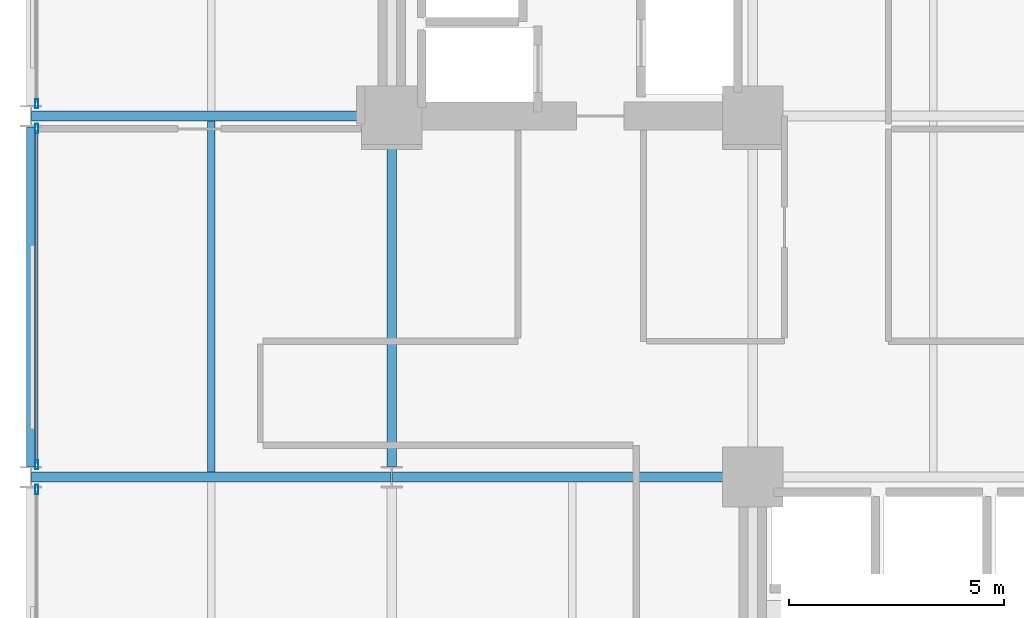
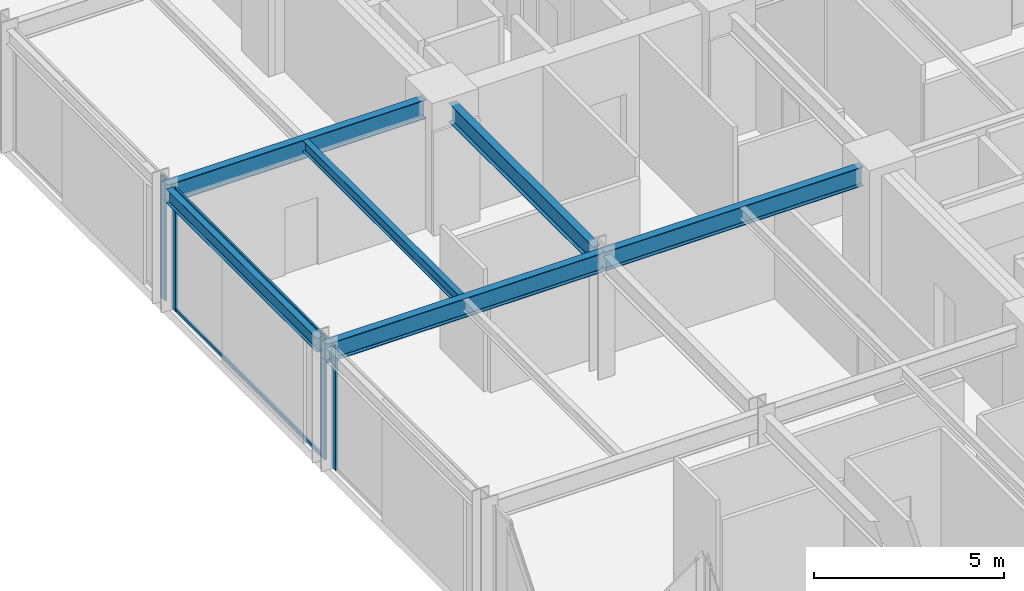
# One storey, part 6 of 24: 6 beams, 6 members, 3 elements without a shape of their own.
"""IFC4 building model written with IfcOpenShell, lengths in metres."""

from ifc_helpers import new_model, si_unit, direction, frame, origin, origin_2d, place, context, subcontext, project, spatial, hollow_rectangle, i_section, extrude, material, layer, layer_set, material_profile, profile_set, type_object, element, aggregate, save


model = new_model("IFC4")

# Units and contexts
model_context = context("Model", 3, precision=1e-05, world=origin(), true_north=direction((0.0, 1.0)))
body_context = subcontext(model_context, "Body", "Model", "MODEL_VIEW")
ifc_project = project(units=[si_unit("LENGTHUNIT", "METRE"), si_unit("AREAUNIT", "SQUARE_METRE"), si_unit("VOLUMEUNIT", "CUBIC_METRE"), si_unit("PLANEANGLEUNIT", "RADIAN"), si_unit("MASSUNIT", "GRAM", prefix="KILO")], contexts=[model_context])

# Site, building, storey
site_placement = place(None, origin())
site = spatial("IfcSite", under=ifc_project, at=site_placement, CompositionType="ELEMENT")
building_placement = place(site_placement, origin())
building = spatial("IfcBuilding", under=site, at=building_placement, Name="Nerrivon Quay Data Exchange", CompositionType="ELEMENT")
storey_placement = place(building_placement, frame((0.0, 0.0, 37.39990234375)))
storey = spatial("IfcBuildingStorey", under=building, at=storey_placement, Name="L08", CompositionType="ELEMENT", Elevation=37.39990234375)

# Beams
ifc_material_1 = material(Name="Steel Grade 350", Category="steel")
ifc_material_profile_1 = material_profile(ifc_material_1, i_section(OverallWidth=0.22900390625, OverallDepth=0.612060546875, WebThickness=0.011962890625, FlangeThickness=0.01953125, FilletRadius=0.013916015625, at=origin_2d()), Name="610UB125")
ifc_profile_set_1 = profile_set([ifc_material_profile_1], Name="Steel Grade 350")
beam_type_1 = type_object("IfcBeamType", Name="BM-G1-610UB125", PredefinedType="BEAM", material=ifc_profile_set_1)
beam_1_placement = place(storey_placement, frame((0.013916015625, 16.800048828125, 3.619140625), z_axis=(1.0, 0.0, 0.0), x_axis=(0.0, 1.0, 0.0)))
element("IfcBeam", 1, at=beam_1_placement, inside=storey, type_object=beam_type_1, Name="L08 EW Girder Y=16.8 (0.0..8.4)", PredefinedType="BEAM", context=body_context, shape_type="SweptSolid", body=[
    extrude(i_section(OverallWidth=0.22900390625, OverallDepth=0.612060546875, WebThickness=0.011962890625, FlangeThickness=0.01953125, FilletRadius=0.013916015625, at=origin_2d()), origin(), (0.0, 0.0, 1.0), 8.3720703125),
])
beam_2_placement = place(storey_placement, frame((8.4140625, 16.800048828125, 3.619140625), z_axis=(1.0, 0.0, 0.0), x_axis=(0.0, 1.0, 0.0)))
element("IfcBeam", 2, at=beam_2_placement, inside=storey, type_object=beam_type_1, Name="L08 EW Girder Y=16.8 (8.4..16.8)", PredefinedType="BEAM", context=body_context, shape_type="SweptSolid", body=[
    extrude(i_section(OverallWidth=0.22900390625, OverallDepth=0.612060546875, WebThickness=0.011962890625, FlangeThickness=0.01953125, FilletRadius=0.013916015625, at=origin_2d()), origin(), (0.0, 0.0, 1.0), 7.845947265625),
])
beam_3_placement = place(storey_placement, frame((0.013916015625, 25.199951171875, 3.619140625), z_axis=(1.0, 0.0, 0.0), x_axis=(0.0, 1.0, 0.0)))
element("IfcBeam", 3, at=beam_3_placement, inside=storey, type_object=beam_type_1, Name="L08 EW Girder Y=25.2 (0.0..8.4)", PredefinedType="BEAM", context=body_context, shape_type="SweptSolid", body=[
    extrude(i_section(OverallWidth=0.22900390625, OverallDepth=0.612060546875, WebThickness=0.011962890625, FlangeThickness=0.01953125, FilletRadius=0.013916015625, at=origin_2d()), origin(), (0.0, 0.0, 1.0), 7.84619140625),
])
ifc_material_profile_2 = material_profile(ifc_material_1, i_section(OverallWidth=0.22802734375, OverallDepth=0.60205078125, WebThickness=0.010498046875, FlangeThickness=0.014892578125, FilletRadius=0.013916015625, at=origin_2d()), Name="610UB101")
ifc_profile_set_2 = profile_set([ifc_material_profile_2], Name="Steel Grade 350")
beam_type_2 = type_object("IfcBeamType", Name="BM-G2-610UB101", PredefinedType="BEAM", material=ifc_profile_set_2)
beam_4_placement = place(storey_placement, frame((8.39990234375, 17.050048828125, 3.6240234375), z_axis=(0.0, 1.0, 0.0), x_axis=(-1.0, 0.0, 0.0)))
element("IfcBeam", 4, at=beam_4_placement, inside=storey, type_object=beam_type_2, Name="L08 NS Girder X=8.4 (16.8..25.2)", PredefinedType="BEAM", context=body_context, shape_type="SweptSolid", body=[
    extrude(i_section(OverallWidth=0.22802734375, OverallDepth=0.60205078125, WebThickness=0.010498046875, FlangeThickness=0.014892578125, FilletRadius=0.013916015625, at=origin_2d()), origin(), (0.0, 0.0, 1.0), 7.60986328125),
])
ifc_material_profile_3 = material_profile(ifc_material_1, i_section(OverallWidth=0.172119140625, OverallDepth=0.35888671875, WebThickness=0.008056640625, FlangeThickness=0.012939453125, FilletRadius=0.011474609375, at=origin_2d()), Name="360UB56.7")
ifc_profile_set_3 = profile_set([ifc_material_profile_3], Name="Steel Grade 350")
beam_type_3 = type_object("IfcBeamType", Name="BM-J3-360UB57", PredefinedType="JOIST", material=ifc_profile_set_3)
beam_5_placement = place(storey_placement, frame((4.199951171875, 16.91455078125, 3.74560546875), z_axis=(0.0, 1.0, 0.0), x_axis=(-1.0, 0.0, 0.0)))
element("IfcBeam", 5, at=beam_5_placement, inside=storey, type_object=beam_type_3, Name="L08 Secondary Joist X=4.2 (16.8..25.2)", PredefinedType="JOIST", context=body_context, shape_type="SweptSolid", body=[
    extrude(i_section(OverallWidth=0.172119140625, OverallDepth=0.35888671875, WebThickness=0.008056640625, FlangeThickness=0.012939453125, FilletRadius=0.011474609375, at=origin_2d()), origin(), (0.0, 0.0, 1.0), 8.1708984375),
])
ifc_material_profile_4 = material_profile(ifc_material_1, i_section(OverallWidth=0.18994140625, OverallDepth=0.4541015625, WebThickness=0.008544921875, FlangeThickness=0.0126953125, FilletRadius=0.011474609375, at=origin_2d()), Name="460UB67.1")
ifc_profile_set_4 = profile_set([ifc_material_profile_4], Name="Steel Grade 350")
beam_type_4 = type_object("IfcBeamType", Name="BM-SP1-460UB67", PredefinedType="SPANDREL", material=ifc_profile_set_4)
beam_6_placement = place(storey_placement, frame((0.0, 17.050048828125, 3.697998046875), z_axis=(0.0, 1.0, 0.0), x_axis=(-1.0, 0.0, 0.0)))
element("IfcBeam", 6, at=beam_6_placement, inside=storey, type_object=beam_type_4, Name="L08 NS Girder X=0.0 (16.8..25.2)", PredefinedType="SPANDREL", context=body_context, shape_type="SweptSolid", body=[
    extrude(i_section(OverallWidth=0.18994140625, OverallDepth=0.4541015625, WebThickness=0.008544921875, FlangeThickness=0.0126953125, FilletRadius=0.011474609375, at=origin_2d()), origin(), (0.0, 0.0, 1.0), 7.89990234375),
])

# Curtain wall, member
ifc_material_2 = material(Name="Anodised aluminium 6063-T6", Category="aluminium")
ifc_layer = layer(ifc_material_2, 0.219970703125)
ifc_layer_set = layer_set([ifc_layer], Name="Anodised aluminium 6063-T6")
curtain_wall_type = type_object("IfcCurtainWallType", Name="CW-SYS-01", PredefinedType="NOTDEFINED", material=ifc_layer_set)
curtain_wall_1_placement = place(storey_placement, origin())
curtain_wall_1 = element("IfcCurtainWall", 7, at=curtain_wall_1_placement, inside=storey, type_object=curtain_wall_type, Name="L08 Unitised Curtain Wall 14", PredefinedType="NOTDEFINED")
ifc_material_profile_5 = material_profile(ifc_material_2, hollow_rectangle(XDim=0.074951171875, YDim=0.219970703125, WallThickness=0.00390625, at=origin_2d()), Name="ALU-MULL-220x75")
ifc_profile_set_5 = profile_set([ifc_material_profile_5], Name="Anodised aluminium 6063-T6")
member_type_1 = type_object("IfcMemberType", Name="CWM-220x75", PredefinedType="MULLION", material=ifc_profile_set_5)
member_1_placement = place(storey_placement, frame((0.139892578125, 16.512451171875, 0.0), z_axis=(0.0, 0.0, 1.0), x_axis=(-1.0, 0.0, 0.0)))
member_1 = element("IfcMember", 8, at=member_1_placement, type_object=member_type_1, Name="CW01 mullion 2", PredefinedType="MULLION", context=body_context, shape_type="SweptSolid", body=[
    extrude(hollow_rectangle(XDim=0.074951171875, YDim=0.219970703125, WallThickness=0.00390625, at=origin_2d()), origin(), (0.0, 0.0, 1.0), 3.925048828125),
])
aggregate(curtain_wall_1, [member_1])

# Curtain wall, members
curtain_wall_2_placement = place(storey_placement, origin())
curtain_wall_2 = element("IfcCurtainWall", 9, at=curtain_wall_2_placement, inside=storey, type_object=curtain_wall_type, Name="L08 Unitised Curtain Wall 15", PredefinedType="NOTDEFINED")
member_2_placement = place(storey_placement, frame((0.139892578125, 17.08740234375, 0.0), z_axis=(0.0, 0.0, 1.0), x_axis=(-1.0, 0.0, 0.0)))
member_2 = element("IfcMember", 10, at=member_2_placement, type_object=member_type_1, Name="CW01 mullion 1", PredefinedType="MULLION", context=body_context, shape_type="SweptSolid", body=[
    extrude(hollow_rectangle(XDim=0.074951171875, YDim=0.219970703125, WallThickness=0.00390625, at=origin_2d()), origin(), (0.0, 0.0, 1.0), 3.925048828125),
])
member_3_placement = place(storey_placement, frame((0.139892578125, 24.91259765625, 0.0), z_axis=(0.0, 0.0, 1.0), x_axis=(-1.0, 0.0, 0.0)))
member_3 = element("IfcMember", 11, at=member_3_placement, type_object=member_type_1, Name="CW01 mullion 2", PredefinedType="MULLION", context=body_context, shape_type="SweptSolid", body=[
    extrude(hollow_rectangle(XDim=0.074951171875, YDim=0.219970703125, WallThickness=0.00390625, at=origin_2d()), origin(), (0.0, 0.0, 1.0), 3.925048828125),
])

# Curtain wall, member
curtain_wall_3_placement = place(storey_placement, origin())
curtain_wall_3 = element("IfcCurtainWall", 12, at=curtain_wall_3_placement, inside=storey, type_object=curtain_wall_type, Name="L08 Unitised Curtain Wall 16", PredefinedType="NOTDEFINED")
member_4_placement = place(storey_placement, frame((0.139892578125, 25.487548828125, 0.0), z_axis=(0.0, 0.0, 1.0), x_axis=(-1.0, 0.0, 0.0)))
member_4 = element("IfcMember", 13, at=member_4_placement, type_object=member_type_1, Name="CW01 mullion 1", PredefinedType="MULLION", context=body_context, shape_type="SweptSolid", body=[
    extrude(hollow_rectangle(XDim=0.074951171875, YDim=0.219970703125, WallThickness=0.00390625, at=origin_2d()), origin(), (0.0, 0.0, 1.0), 3.925048828125),
])
aggregate(curtain_wall_3, [member_4])

# Member
ifc_material_profile_6 = material_profile(ifc_material_2, hollow_rectangle(XDim=0.06005859375, YDim=0.1201171875, WallThickness=0.003173828125, at=origin_2d()), Name="ALU-TRAN-120x60")
ifc_profile_set_6 = profile_set([ifc_material_profile_6], Name="Anodised aluminium 6063-T6")
member_type_2 = type_object("IfcMemberType", Name="CWT-120x60", PredefinedType="USERDEFINED", material=ifc_profile_set_6)
member_5_placement = place(storey_placement, frame((0.139892578125, 17.125, 0.03271484375), z_axis=(0.0, 1.0, 0.0), x_axis=(-1.0, 0.0, 0.0)))
member_5 = element("IfcMember", 14, at=member_5_placement, type_object=member_type_2, Name="CW01 transom 1.1", ObjectType="TRANSOM", PredefinedType="USERDEFINED", context=body_context, shape_type="SweptSolid", body=[
    extrude(hollow_rectangle(XDim=0.06005859375, YDim=0.1201171875, WallThickness=0.003173828125, at=origin_2d()), origin(), (0.0, 0.0, 1.0), 7.75),
])

member_6_placement = place(storey_placement, frame((0.139892578125, 17.125, 3.892578125), z_axis=(0.0, 1.0, 0.0), x_axis=(-1.0, 0.0, 0.0)))
member_6 = element("IfcMember", 15, at=member_6_placement, type_object=member_type_2, Name="CW01 transom 1.2", ObjectType="TRANSOM", PredefinedType="USERDEFINED", context=body_context, shape_type="SweptSolid", body=[
    extrude(hollow_rectangle(XDim=0.06005859375, YDim=0.1201171875, WallThickness=0.003173828125, at=origin_2d()), origin(), (0.0, 0.0, 1.0), 7.75),
])

aggregate(curtain_wall_2, [member_2, member_3, member_5, member_6])

save(model, "model.ifc")
